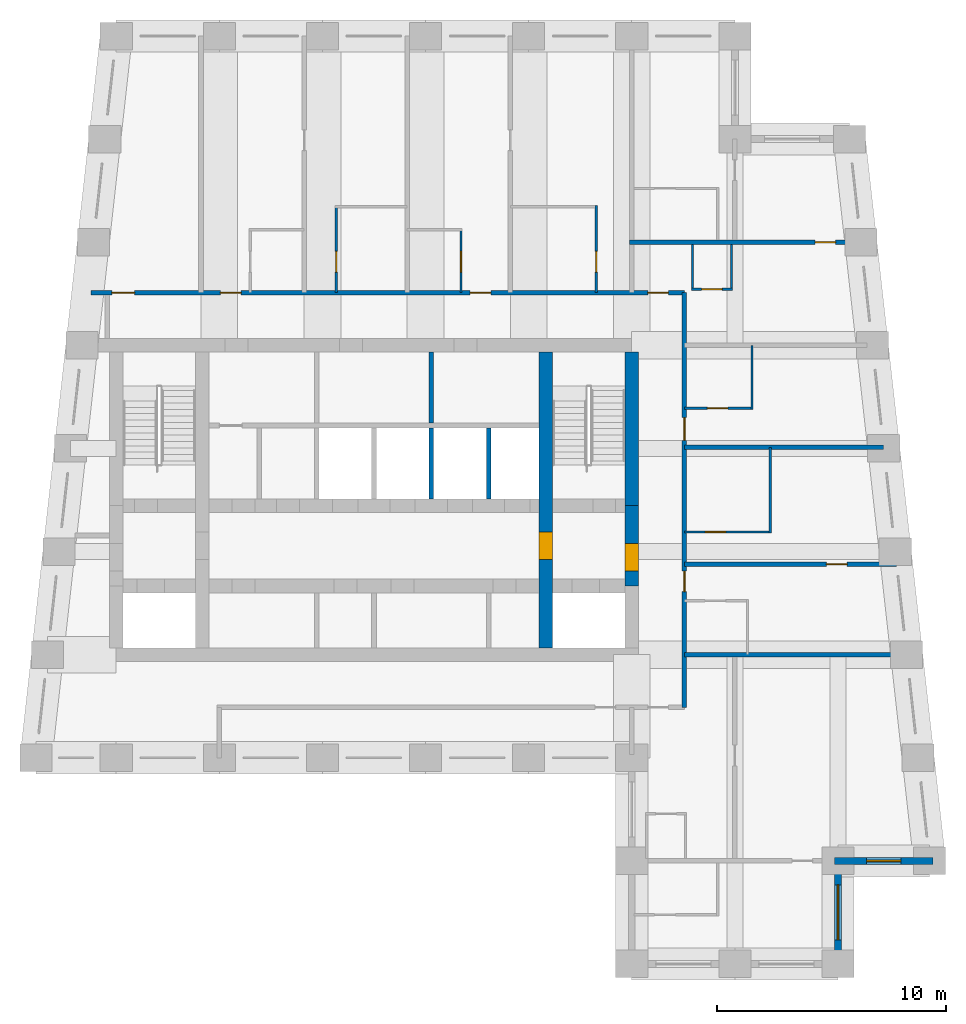
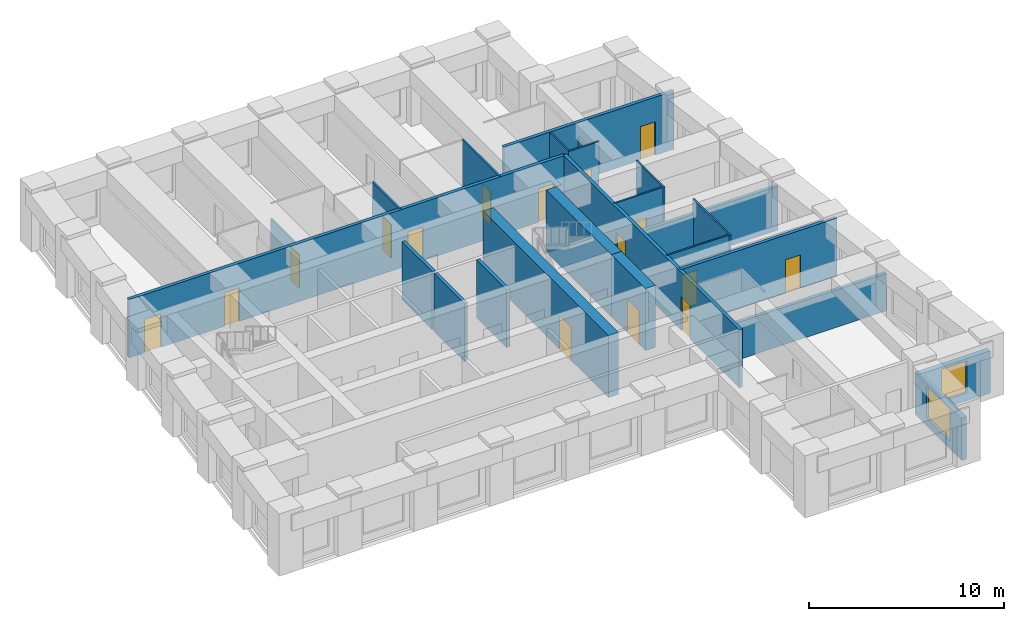
# One storey, part 4 of 7: 24 walls, 16 doors, 2 windows, 18 openings.
"""IFC4 building model written with IfcOpenShell, lengths in metres."""

from ifc_helpers import new_model, si_unit, direction, frame, frame_2d, origin, place, context, subcontext, project, spatial, rectangle, extrude, material, layer, layer_set, type_object, element, fill, save


model = new_model("IFC4")

# Units and contexts
model_context = context("Model", 3, precision=1e-05, world=origin(), true_north=direction((0.0, 1.0)))
body_context = subcontext(model_context, "Body", "Model", "MODEL_VIEW")
ifc_project = project(units=[si_unit("LENGTHUNIT", "METRE"), si_unit("AREAUNIT", "SQUARE_METRE"), si_unit("VOLUMEUNIT", "CUBIC_METRE"), si_unit("PLANEANGLEUNIT", "RADIAN"), si_unit("MASSUNIT", "GRAM", prefix="KILO")], contexts=[model_context])

# Site, building, storey
site_placement = place(None, origin())
site = spatial("IfcSite", under=ifc_project, at=site_placement, CompositionType="ELEMENT")
building_placement = place(site_placement, origin())
building = spatial("IfcBuilding", under=site, at=building_placement, Name="Kilele Tower Hotel", CompositionType="ELEMENT")
storey_placement = place(building_placement, frame((0.0, 0.0, 270.199951171875)))
storey = spatial("IfcBuildingStorey", under=building, at=storey_placement, Name="L69", CompositionType="ELEMENT", Elevation=270.199951171875)

# Wall
ifc_material_1 = material(Name="Moisture-resistant board")
ifc_layer_1 = layer(ifc_material_1, 0.10009765625)
ifc_layer_set_1 = layer_set([ifc_layer_1], Name="Moisture-resistant board")
wall_type_1 = type_object("IfcWallType", Name="Bathroom partition 100", PredefinedType="PLUMBINGWALL", material=ifc_layer_set_1)
wall_1_placement = place(storey_placement, frame((42.050048828125, 18.800048828125, 0.0), z_axis=(0.0, 0.0, 1.0), x_axis=(0.0, 1.0, 0.0)))
element("IfcWall", 1, at=wall_1_placement, inside=storey, type_object=wall_type_1, Name="Bathroom partition 100 L69", PredefinedType="PLUMBINGWALL", context=body_context, shape_type="SweptSolid", body=[
    extrude(rectangle(XDim=3.75, YDim=0.10009765625, at=frame_2d((1.875, 0.0))), origin(), (0.0, 0.0, 1.0), 3.650146484375),
])

# Wall, opening, door
wall_2_placement = place(storey_placement, frame((38.300048828125, 18.85009765625, 0.0), z_axis=(0.0, 0.0, 1.0), x_axis=(1.0, 0.0, 0.0)))
wall_2 = element("IfcWall", 2, at=wall_2_placement, inside=storey, type_object=wall_type_1, Name="Bathroom partition 100 L69", PredefinedType="PLUMBINGWALL", context=body_context, shape_type="SweptSolid", body=[
    extrude(rectangle(XDim=3.800048828125, YDim=0.10009765625, at=frame_2d((1.89990234375, 0.0))), origin(), (0.0, 0.0, 1.0), 3.650146484375),
])
opening_1_placement = place(wall_2_placement, frame((1.7998046875, 0.0, 0.0), z_axis=(0.0, 0.0, 1.0), x_axis=(-1.0, 0.0, 0.0)))
opening_1 = element("IfcOpeningElement", 3, at=opening_1_placement, cuts=wall_2, Name="Opening D2A", PredefinedType="OPENING", context=body_context, shape_type="SweptSolid", body=[
    extrude(rectangle(XDim=0.89990234375, YDim=2.10009765625, at=frame_2d((0.449951171875, 1.050048828125))), frame((0.0, 0.06005859375, 0.0), z_axis=(0.0, -1.0, 0.0), x_axis=(1.0, 0.0, 0.0)), (0.0, 0.0, 1.0), 0.1201171875),
])
ifc_material_2 = material(Name="Timber door leaf in hardwood frame", Category="wood")
door_type_1 = type_object("IfcDoorType", Name="Bathroom door 900", OperationType="SINGLE_SWING_LEFT", PredefinedType="DOOR", material=ifc_material_2)
door_1_placement = place(opening_1_placement, origin())
door_1 = element("IfcDoor", 4, at=door_1_placement, inside=storey, type_object=door_type_1, Name="Bathroom door 6904B", OperationType="SINGLE_SWING_RIGHT", OverallHeight=2.10009765625, OverallWidth=0.89990234375, PredefinedType="DOOR", context=body_context, shape_type="SweptSolid", body=[
    extrude(rectangle(XDim=0.89990234375, YDim=2.10009765625, at=frame_2d((0.449951171875, 1.050048828125))), frame((0.0, 0.02490234375, 0.0), z_axis=(0.0, -1.0, 0.0), x_axis=(1.0, 0.0, 0.0)), (0.0, 0.0, 1.0), 0.050048828125),
])
fill(opening_1, door_1)

# Wall
wall_3_placement = place(storey_placement, frame((41.25, 24.199951171875, 0.0), z_axis=(0.0, 0.0, 1.0), x_axis=(0.0, 1.0, 0.0)))
element("IfcWall", 5, at=wall_3_placement, inside=storey, type_object=wall_type_1, Name="Bathroom partition 100 L69", PredefinedType="PLUMBINGWALL", context=body_context, shape_type="SweptSolid", body=[
    extrude(rectangle(XDim=2.800048828125, YDim=0.10009765625, at=frame_2d((1.39990234375, 0.0))), origin(), (0.0, 0.0, 1.0), 3.650146484375),
])

# Wall, opening, door
wall_4_placement = place(storey_placement, frame((38.300048828125, 24.25, 0.0), z_axis=(0.0, 0.0, 1.0), x_axis=(1.0, 0.0, 0.0)))
wall_4 = element("IfcWall", 6, at=wall_4_placement, inside=storey, type_object=wall_type_1, Name="Bathroom partition 100 L69", PredefinedType="PLUMBINGWALL", context=body_context, shape_type="SweptSolid", body=[
    extrude(rectangle(XDim=3.0, YDim=0.10009765625, at=frame_2d((1.5, 0.0))), origin(), (0.0, 0.0, 1.0), 3.650146484375),
])
opening_2_placement = place(wall_4_placement, frame((1.89990234375, 0.0, 0.0), z_axis=(0.0, 0.0, 1.0), x_axis=(-1.0, 0.0, 0.0)))
opening_2 = element("IfcOpeningElement", 7, at=opening_2_placement, cuts=wall_4, Name="Opening D2A", PredefinedType="OPENING", context=body_context, shape_type="SweptSolid", body=[
    extrude(rectangle(XDim=0.89990234375, YDim=2.10009765625, at=frame_2d((0.449951171875, 1.050048828125))), frame((0.0, 0.06005859375, 0.0), z_axis=(0.0, -1.0, 0.0), x_axis=(1.0, 0.0, 0.0)), (0.0, 0.0, 1.0), 0.1201171875),
])
door_2_placement = place(opening_2_placement, origin())
door_2 = element("IfcDoor", 8, at=door_2_placement, inside=storey, type_object=door_type_1, Name="Bathroom door 6905B", OperationType="SINGLE_SWING_RIGHT", OverallHeight=2.10009765625, OverallWidth=0.89990234375, PredefinedType="DOOR", context=body_context, shape_type="SweptSolid", body=[
    extrude(rectangle(XDim=0.89990234375, YDim=2.10009765625, at=frame_2d((0.449951171875, 1.050048828125))), frame((0.0, 0.02490234375, 0.0), z_axis=(0.0, -1.0, 0.0), x_axis=(1.0, 0.0, 0.0)), (0.0, 0.0, 1.0), 0.050048828125),
])
fill(opening_2, door_2)

wall_5_placement = place(storey_placement, frame((23.10009765625, 29.300048828125, 0.0), z_axis=(0.0, 0.0, 1.0), x_axis=(0.0, 1.0, 0.0)))
wall_5 = element("IfcWall", 9, at=wall_5_placement, inside=storey, type_object=wall_type_1, Name="Bathroom partition 100 L69", PredefinedType="PLUMBINGWALL", context=body_context, shape_type="SweptSolid", body=[
    extrude(rectangle(XDim=3.800048828125, YDim=0.10009765625, at=frame_2d((1.89990234375, 0.0))), origin(), (0.0, 0.0, 1.0), 2.650146484375),
])
opening_3_placement = place(wall_5_placement, frame((0.89990234375, 0.0, 0.0)))
opening_3 = element("IfcOpeningElement", 10, at=opening_3_placement, cuts=wall_5, Name="Opening D2A", PredefinedType="OPENING", context=body_context, shape_type="SweptSolid", body=[
    extrude(rectangle(XDim=0.89990234375, YDim=2.10009765625, at=frame_2d((0.449951171875, 1.050048828125))), frame((0.0, 0.06005859375, 0.0), z_axis=(0.0, -1.0, 0.0), x_axis=(1.0, 0.0, 0.0)), (0.0, 0.0, 1.0), 0.1201171875),
])
door_3_placement = place(opening_3_placement, origin())
door_3 = element("IfcDoor", 11, at=door_3_placement, inside=storey, type_object=door_type_1, Name="Bathroom door 6908B", OperationType="SINGLE_SWING_LEFT", OverallHeight=2.10009765625, OverallWidth=0.89990234375, PredefinedType="DOOR", context=body_context, shape_type="SweptSolid", body=[
    extrude(rectangle(XDim=0.89990234375, YDim=2.10009765625, at=frame_2d((0.449951171875, 1.050048828125))), frame((0.0, 0.02490234375, 0.0), z_axis=(0.0, -1.0, 0.0), x_axis=(1.0, 0.0, 0.0)), (0.0, 0.0, 1.0), 0.050048828125),
])
fill(opening_3, door_3)

wall_6_placement = place(storey_placement, frame((28.550048828125, 29.300048828125, 0.0), z_axis=(0.0, 0.0, 1.0), x_axis=(0.0, 1.0, 0.0)))
wall_6 = element("IfcWall", 12, at=wall_6_placement, inside=storey, type_object=wall_type_1, Name="Bathroom partition 100 L69", PredefinedType="PLUMBINGWALL", context=body_context, shape_type="SweptSolid", body=[
    extrude(rectangle(XDim=2.800048828125, YDim=0.10009765625, at=frame_2d((1.39990234375, 0.0))), origin(), (0.0, 0.0, 1.0), 3.650146484375),
])
opening_4_placement = place(wall_6_placement, frame((1.7998046875, 0.0, 0.0), z_axis=(0.0, 0.0, 1.0), x_axis=(-1.0, 0.0, 0.0)))
opening_4 = element("IfcOpeningElement", 13, at=opening_4_placement, cuts=wall_6, Name="Opening D2A", PredefinedType="OPENING", context=body_context, shape_type="SweptSolid", body=[
    extrude(rectangle(XDim=0.89990234375, YDim=2.10009765625, at=frame_2d((0.449951171875, 1.050048828125))), frame((0.0, 0.06005859375, 0.0), z_axis=(0.0, -1.0, 0.0), x_axis=(1.0, 0.0, 0.0)), (0.0, 0.0, 1.0), 0.1201171875),
])
door_4_placement = place(opening_4_placement, origin())
door_4 = element("IfcDoor", 14, at=door_4_placement, inside=storey, type_object=door_type_1, Name="Bathroom door 6909B", OperationType="SINGLE_SWING_RIGHT", OverallHeight=2.10009765625, OverallWidth=0.89990234375, PredefinedType="DOOR", context=body_context, shape_type="SweptSolid", body=[
    extrude(rectangle(XDim=0.89990234375, YDim=2.10009765625, at=frame_2d((0.449951171875, 1.050048828125))), frame((0.0, 0.02490234375, 0.0), z_axis=(0.0, -1.0, 0.0), x_axis=(1.0, 0.0, 0.0)), (0.0, 0.0, 1.0), 0.050048828125),
])
fill(opening_4, door_4)

wall_7_placement = place(storey_placement, frame((34.449951171875, 29.300048828125, 0.0), z_axis=(0.0, 0.0, 1.0), x_axis=(0.0, 1.0, 0.0)))
wall_7 = element("IfcWall", 15, at=wall_7_placement, inside=storey, type_object=wall_type_1, Name="Bathroom partition 100 L69", PredefinedType="PLUMBINGWALL", context=body_context, shape_type="SweptSolid", body=[
    extrude(rectangle(XDim=3.800048828125, YDim=0.10009765625, at=frame_2d((1.89990234375, 0.0))), origin(), (0.0, 0.0, 1.0), 3.650146484375),
])
opening_5_placement = place(wall_7_placement, frame((1.7998046875, 0.0, 0.0), z_axis=(0.0, 0.0, 1.0), x_axis=(-1.0, 0.0, 0.0)))
opening_5 = element("IfcOpeningElement", 16, at=opening_5_placement, cuts=wall_7, Name="Opening D2A", PredefinedType="OPENING", context=body_context, shape_type="SweptSolid", body=[
    extrude(rectangle(XDim=0.89990234375, YDim=2.10009765625, at=frame_2d((0.449951171875, 1.050048828125))), frame((0.0, 0.06005859375, 0.0), z_axis=(0.0, -1.0, 0.0), x_axis=(1.0, 0.0, 0.0)), (0.0, 0.0, 1.0), 0.1201171875),
])
door_5_placement = place(opening_5_placement, origin())
door_5 = element("IfcDoor", 17, at=door_5_placement, inside=storey, type_object=door_type_1, Name="Bathroom door 6910B", OperationType="SINGLE_SWING_RIGHT", OverallHeight=2.10009765625, OverallWidth=0.89990234375, PredefinedType="DOOR", context=body_context, shape_type="SweptSolid", body=[
    extrude(rectangle(XDim=0.89990234375, YDim=2.10009765625, at=frame_2d((0.449951171875, 1.050048828125))), frame((0.0, 0.02490234375, 0.0), z_axis=(0.0, -1.0, 0.0), x_axis=(1.0, 0.0, 0.0)), (0.0, 0.0, 1.0), 0.050048828125),
])
fill(opening_5, door_5)

# Walls
wall_8_placement = place(storey_placement, frame((40.35009765625, 31.39990234375, 0.0), z_axis=(0.0, 0.0, 1.0), x_axis=(0.0, -1.0, 0.0)))
element("IfcWall", 18, at=wall_8_placement, inside=storey, type_object=wall_type_1, Name="Bathroom partition 100 L69", PredefinedType="PLUMBINGWALL", context=body_context, shape_type="SweptSolid", body=[
    extrude(rectangle(XDim=2.0, YDim=0.10009765625, at=frame_2d((1.0, 0.0))), origin(), (0.0, 0.0, 1.0), 2.75),
])
wall_9_placement = place(storey_placement, frame((38.64990234375, 31.39990234375, 0.0), z_axis=(0.0, 0.0, 1.0), x_axis=(0.0, -1.0, 0.0)))
element("IfcWall", 19, at=wall_9_placement, inside=storey, type_object=wall_type_1, Name="Bathroom partition 100 L69", PredefinedType="PLUMBINGWALL", context=body_context, shape_type="SweptSolid", body=[
    extrude(rectangle(XDim=2.0, YDim=0.10009765625, at=frame_2d((1.0, 0.0))), origin(), (0.0, 0.0, 1.0), 3.650146484375),
])

# Wall, opening, door
wall_10_placement = place(storey_placement, frame((38.60009765625, 29.449951171875, 0.0), z_axis=(0.0, 0.0, 1.0), x_axis=(1.0, 0.0, 0.0)))
wall_10 = element("IfcWall", 20, at=wall_10_placement, inside=storey, type_object=wall_type_1, Name="Bathroom partition 100 L69", PredefinedType="PLUMBINGWALL", context=body_context, shape_type="SweptSolid", body=[
    extrude(rectangle(XDim=1.7998046875, YDim=0.10009765625, at=frame_2d((0.89990234375, 0.0))), origin(), (0.0, 0.0, 1.0), 3.650146484375),
])
opening_6_placement = place(wall_10_placement, frame((1.349853515625, 0.0, 0.0), z_axis=(0.0, 0.0, 1.0), x_axis=(-1.0, 0.0, 0.0)))
opening_6 = element("IfcOpeningElement", 21, at=opening_6_placement, cuts=wall_10, Name="Opening D2A", PredefinedType="OPENING", context=body_context, shape_type="SweptSolid", body=[
    extrude(rectangle(XDim=0.89990234375, YDim=2.10009765625, at=frame_2d((0.449951171875, 1.050048828125))), frame((0.0, 0.06005859375, 0.0), z_axis=(0.0, -1.0, 0.0), x_axis=(1.0, 0.0, 0.0)), (0.0, 0.0, 1.0), 0.1201171875),
])
door_6_placement = place(opening_6_placement, origin())
door_6 = element("IfcDoor", 22, at=door_6_placement, inside=storey, type_object=door_type_1, Name="Bathroom door 6914P", OperationType="SINGLE_SWING_RIGHT", OverallHeight=2.10009765625, OverallWidth=0.89990234375, PredefinedType="DOOR", context=body_context, shape_type="SweptSolid", body=[
    extrude(rectangle(XDim=0.89990234375, YDim=2.10009765625, at=frame_2d((0.449951171875, 1.050048828125))), frame((0.0, 0.02490234375, 0.0), z_axis=(0.0, -1.0, 0.0), x_axis=(1.0, 0.0, 0.0)), (0.0, 0.0, 1.0), 0.050048828125),
])
fill(opening_6, door_6)

ifc_material_3 = material(Name="Concrete C60/75", Category="concrete")
ifc_layer_2 = layer(ifc_material_3, 0.60009765625)
ifc_layer_set_2 = layer_set([ifc_layer_2], Name="Concrete C60/75")
wall_type_2 = type_object("IfcWallType", Name="Core wall 600 C60/75", PredefinedType="SHEAR", material=ifc_layer_set_2)
wall_11_placement = place(storey_placement, frame((32.25, 13.800048828125, 0.0), z_axis=(0.0, 0.0, 1.0), x_axis=(0.0, 1.0, 0.0)))
wall_11 = element("IfcWall", 23, at=wall_11_placement, inside=storey, type_object=wall_type_2, Name="Core wall IE L69", PredefinedType="SHEAR", context=body_context, shape_type="SweptSolid", body=[
    extrude(rectangle(XDim=12.89990234375, YDim=0.60009765625, at=frame_2d((6.449951171875, 0.0))), origin(), (0.0, 0.0, 1.0), 3.900146484375),
])
opening_7_placement = place(wall_11_placement, frame((5.050048828125, 0.0, 0.0), z_axis=(0.0, 0.0, 1.0), x_axis=(-1.0, 0.0, 0.0)))
opening_7 = element("IfcOpeningElement", 24, at=opening_7_placement, cuts=wall_11, Name="Opening D4", PredefinedType="OPENING", context=body_context, shape_type="SweptSolid", body=[
    extrude(rectangle(XDim=1.199951171875, YDim=2.10009765625, at=frame_2d((0.60009765625, 1.050048828125))), frame((0.0, 0.31005859375, 0.0), z_axis=(0.0, -1.0, 0.0), x_axis=(1.0, 0.0, 0.0)), (0.0, 0.0, 1.0), 0.6201171875),
])
ifc_material_4 = material(Name="Timber door leaf in hardwood frame", Category="wood")
door_type_2 = type_object("IfcDoorType", Name="Firefighting lobby door 1200", OperationType="SINGLE_SWING_LEFT", PredefinedType="DOOR", material=ifc_material_4)
door_7_placement = place(opening_7_placement, origin())
door_7 = element("IfcDoor", 25, at=door_7_placement, inside=storey, type_object=door_type_2, Name="Lobby door L69", OperationType="SINGLE_SWING_RIGHT", OverallHeight=2.10009765625, OverallWidth=1.199951171875, PredefinedType="DOOR", context=body_context, shape_type="SweptSolid", body=[
    extrude(rectangle(XDim=1.199951171875, YDim=2.10009765625, at=frame_2d((0.60009765625, 1.050048828125))), frame((0.0, 0.2998046875, 0.0), z_axis=(0.0, -1.0, 0.0), x_axis=(1.0, 0.0, 0.0)), (0.0, 0.0, 1.0), 0.599609375),
])
fill(opening_7, door_7)

wall_12_placement = place(storey_placement, frame((36.0, 16.5, 0.0), z_axis=(0.0, 0.0, 1.0), x_axis=(0.0, 1.0, 0.0)))
wall_12 = element("IfcWall", 26, at=wall_12_placement, inside=storey, type_object=wall_type_2, Name="Core wall E2 L69", PredefinedType="SHEAR", context=body_context, shape_type="SweptSolid", body=[
    extrude(rectangle(XDim=3.5, YDim=0.60009765625, at=frame_2d((1.75, 0.0))), origin(), (0.0, 0.0, 1.0), 3.900146484375),
])
opening_8_placement = place(wall_12_placement, frame((0.64990234375, 0.0, 0.0)))
opening_8 = element("IfcOpeningElement", 27, at=opening_8_placement, cuts=wall_12, Name="Opening D4", PredefinedType="OPENING", context=body_context, shape_type="SweptSolid", body=[
    extrude(rectangle(XDim=1.199951171875, YDim=2.10009765625, at=frame_2d((0.60009765625, 1.050048828125))), frame((0.0, 0.31005859375, 0.0), z_axis=(0.0, -1.0, 0.0), x_axis=(1.0, 0.0, 0.0)), (0.0, 0.0, 1.0), 0.6201171875),
])
door_8_placement = place(opening_8_placement, origin())
door_8 = element("IfcDoor", 28, at=door_8_placement, inside=storey, type_object=door_type_2, Name="Lobby door L69", OperationType="SINGLE_SWING_LEFT", OverallHeight=2.10009765625, OverallWidth=1.199951171875, PredefinedType="DOOR", context=body_context, shape_type="SweptSolid", body=[
    extrude(rectangle(XDim=1.199951171875, YDim=2.10009765625, at=frame_2d((0.60009765625, 1.050048828125))), frame((0.0, 0.2998046875, 0.0), z_axis=(0.0, -1.0, 0.0), x_axis=(1.0, 0.0, 0.0)), (0.0, 0.0, 1.0), 0.599609375),
])
fill(opening_8, door_8)

# Wall
wall_13_placement = place(storey_placement, frame((36.0, 20.0, 0.0), z_axis=(0.0, 0.0, 1.0), x_axis=(0.0, 1.0, 0.0)))
element("IfcWall", 29, at=wall_13_placement, inside=storey, type_object=wall_type_2, Name="Core wall E3 L69", PredefinedType="SHEAR", context=body_context, shape_type="SweptSolid", body=[
    extrude(rectangle(XDim=6.699951171875, YDim=0.60009765625, at=frame_2d((3.35009765625, 0.0))), origin(), (0.0, 0.0, 1.0), 3.900146484375),
])

# Wall, openings, doors
ifc_material_5 = material(Name="Blockwork, plastered both sides", Category="masonry")
ifc_layer_3 = layer(ifc_material_5, 0.199951171875)
ifc_layer_set_3 = layer_set([ifc_layer_3], Name="Blockwork, plastered both sides")
wall_type_3 = type_object("IfcWallType", Name="Corridor wall 200", PredefinedType="PARTITIONING", material=ifc_layer_set_3)
wall_14_placement = place(storey_placement, frame((12.406494140625, 29.300048828125, 0.0), z_axis=(0.0, 0.0, 1.0), x_axis=(1.0, 0.0, 0.0)))
wall_14 = element("IfcWall", 30, at=wall_14_placement, inside=storey, type_object=wall_type_3, Name="Corridor wall 200 L69", PredefinedType="PARTITIONING", context=body_context, shape_type="SweptSolid", body=[
    extrude(rectangle(XDim=25.8935546875, YDim=0.199951171875, at=frame_2d((12.94677734375, 0.0))), origin(), (0.0, 0.0, 1.0), 3.650146484375),
])
opening_9_placement = place(wall_14_placement, frame((0.89990234375, 0.0, 0.0)))
opening_9 = element("IfcOpeningElement", 31, at=opening_9_placement, cuts=wall_14, Name="Opening D8", PredefinedType="OPENING", context=body_context, shape_type="SweptSolid", body=[
    extrude(rectangle(XDim=1.0, YDim=2.10009765625, at=frame_2d((0.5, 1.050048828125))), frame((0.0, 0.10986328125, 0.0), z_axis=(0.0, -1.0, 0.0), x_axis=(1.0, 0.0, 0.0)), (0.0, 0.0, 1.0), 0.219970703125),
])
opening_10_placement = place(wall_14_placement, frame((5.6435546875, 0.0, 0.0)))
opening_10 = element("IfcOpeningElement", 32, at=opening_10_placement, cuts=wall_14, Name="Opening D1", PredefinedType="OPENING", context=body_context, shape_type="SweptSolid", body=[
    extrude(rectangle(XDim=0.89990234375, YDim=2.10009765625, at=frame_2d((0.449951171875, 1.050048828125))), frame((0.0, 0.10986328125, 0.0), z_axis=(0.0, -1.0, 0.0), x_axis=(1.0, 0.0, 0.0)), (0.0, 0.0, 1.0), 0.219970703125),
])
opening_11_placement = place(wall_14_placement, frame((16.54345703125, 0.0, 0.0)))
opening_11 = element("IfcOpeningElement", 33, at=opening_11_placement, cuts=wall_14, Name="Opening D1", PredefinedType="OPENING", context=body_context, shape_type="SweptSolid", body=[
    extrude(rectangle(XDim=0.89990234375, YDim=2.10009765625, at=frame_2d((0.449951171875, 1.050048828125))), frame((0.0, 0.10986328125, 0.0), z_axis=(0.0, -1.0, 0.0), x_axis=(1.0, 0.0, 0.0)), (0.0, 0.0, 1.0), 0.219970703125),
])
opening_12_placement = place(wall_14_placement, frame((24.29345703125, 0.0, 0.0)))
opening_12 = element("IfcOpeningElement", 34, at=opening_12_placement, cuts=wall_14, Name="Opening D1", PredefinedType="OPENING", context=body_context, shape_type="SweptSolid", body=[
    extrude(rectangle(XDim=0.89990234375, YDim=2.10009765625, at=frame_2d((0.449951171875, 1.050048828125))), frame((0.0, 0.10986328125, 0.0), z_axis=(0.0, -1.0, 0.0), x_axis=(1.0, 0.0, 0.0)), (0.0, 0.0, 1.0), 0.219970703125),
])
ifc_material_6 = material(Name="Timber door leaf in hardwood frame", Category="wood")
door_type_3 = type_object("IfcDoorType", Name="Door 1000", OperationType="SINGLE_SWING_LEFT", PredefinedType="DOOR", material=ifc_material_6)
door_9_placement = place(opening_9_placement, origin())
door_9 = element("IfcDoor", 35, at=door_9_placement, inside=storey, type_object=door_type_3, Name="Room entrance 6906", OperationType="SINGLE_SWING_LEFT", OverallHeight=2.10009765625, OverallWidth=1.0, PredefinedType="DOOR", context=body_context, shape_type="SweptSolid", body=[
    extrude(rectangle(XDim=1.0, YDim=2.10009765625, at=frame_2d((0.5, 1.050048828125))), frame((0.0, 0.02490234375, 0.0), z_axis=(0.0, -1.0, 0.0), x_axis=(1.0, 0.0, 0.0)), (0.0, 0.0, 1.0), 0.050048828125),
])
fill(opening_9, door_9)
ifc_material_7 = material(Name="Timber door leaf in hardwood frame", Category="wood")
door_type_4 = type_object("IfcDoorType", Name="Guest room entrance door 900", OperationType="SINGLE_SWING_LEFT", PredefinedType="DOOR", material=ifc_material_7)
door_10_placement = place(opening_10_placement, origin())
door_10 = element("IfcDoor", 36, at=door_10_placement, inside=storey, type_object=door_type_4, Name="Room entrance 6907", OperationType="SINGLE_SWING_RIGHT", OverallHeight=2.10009765625, OverallWidth=0.89990234375, PredefinedType="DOOR", context=body_context, shape_type="SweptSolid", body=[
    extrude(rectangle(XDim=0.89990234375, YDim=2.10009765625, at=frame_2d((0.449951171875, 1.050048828125))), frame((0.0, 0.02490234375, 0.0), z_axis=(0.0, -1.0, 0.0), x_axis=(1.0, 0.0, 0.0)), (0.0, 0.0, 1.0), 0.050048828125),
])
fill(opening_10, door_10)
door_11_placement = place(opening_11_placement, origin())
door_11 = element("IfcDoor", 37, at=door_11_placement, inside=storey, type_object=door_type_4, Name="Room entrance 6909", OperationType="SINGLE_SWING_LEFT", OverallHeight=2.10009765625, OverallWidth=0.89990234375, PredefinedType="DOOR", context=body_context, shape_type="SweptSolid", body=[
    extrude(rectangle(XDim=0.89990234375, YDim=2.10009765625, at=frame_2d((0.449951171875, 1.050048828125))), frame((0.0, 0.02490234375, 0.0), z_axis=(0.0, -1.0, 0.0), x_axis=(1.0, 0.0, 0.0)), (0.0, 0.0, 1.0), 0.050048828125),
])
fill(opening_11, door_11)
door_12_placement = place(opening_12_placement, origin())
door_12 = element("IfcDoor", 38, at=door_12_placement, inside=storey, type_object=door_type_4, Name="Room entrance 6914", OperationType="SINGLE_SWING_LEFT", OverallHeight=2.10009765625, OverallWidth=0.89990234375, PredefinedType="DOOR", context=body_context, shape_type="SweptSolid", body=[
    extrude(rectangle(XDim=0.89990234375, YDim=2.10009765625, at=frame_2d((0.449951171875, 1.050048828125))), frame((0.0, 0.02490234375, 0.0), z_axis=(0.0, -1.0, 0.0), x_axis=(1.0, 0.0, 0.0)), (0.0, 0.0, 1.0), 0.050048828125),
])
fill(opening_12, door_12)

wall_15_placement = place(storey_placement, frame((38.300048828125, 11.199951171875, 0.0), z_axis=(0.0, 0.0, 1.0), x_axis=(0.0, 1.0, 0.0)))
wall_15 = element("IfcWall", 39, at=wall_15_placement, inside=storey, type_object=wall_type_3, Name="Corridor wall 200 L69", PredefinedType="PARTITIONING", context=body_context, shape_type="SweptSolid", body=[
    extrude(rectangle(XDim=18.10009765625, YDim=0.199951171875, at=frame_2d((9.050048828125, 0.0))), origin(), (0.0, 0.0, 1.0), 3.650146484375),
])
opening_13_placement = place(wall_15_placement, frame((5.949951171875, 0.0, 0.0), z_axis=(0.0, 0.0, 1.0), x_axis=(-1.0, 0.0, 0.0)))
opening_13 = element("IfcOpeningElement", 40, at=opening_13_placement, cuts=wall_15, Name="Opening D1", PredefinedType="OPENING", context=body_context, shape_type="SweptSolid", body=[
    extrude(rectangle(XDim=0.89990234375, YDim=2.10009765625, at=frame_2d((0.449951171875, 1.050048828125))), frame((0.0, 0.10986328125, 0.0), z_axis=(0.0, -1.0, 0.0), x_axis=(1.0, 0.0, 0.0)), (0.0, 0.0, 1.0), 0.219970703125),
])
opening_14_placement = place(wall_15_placement, frame((12.64990234375, 0.0, 0.0), z_axis=(0.0, 0.0, 1.0), x_axis=(-1.0, 0.0, 0.0)))
opening_14 = element("IfcOpeningElement", 41, at=opening_14_placement, cuts=wall_15, Name="Opening D1A", PredefinedType="OPENING", context=body_context, shape_type="SweptSolid", body=[
    extrude(rectangle(XDim=1.0, YDim=2.10009765625, at=frame_2d((0.5, 1.050048828125))), frame((0.0, 0.10986328125, 0.0), z_axis=(0.0, -1.0, 0.0), x_axis=(1.0, 0.0, 0.0)), (0.0, 0.0, 1.0), 0.219970703125),
])
ifc_material_8 = material(Name="Timber door leaf in hardwood frame", Category="wood")
door_type_5 = type_object("IfcDoorType", Name="Guest room entrance door 1000", OperationType="SINGLE_SWING_LEFT", PredefinedType="DOOR", material=ifc_material_8)
door_13_placement = place(opening_14_placement, origin())
door_13 = element("IfcDoor", 42, at=door_13_placement, inside=storey, type_object=door_type_5, Name="Room entrance 6905", OperationType="SINGLE_SWING_RIGHT", OverallHeight=2.10009765625, OverallWidth=1.0, PredefinedType="DOOR", context=body_context, shape_type="SweptSolid", body=[
    extrude(rectangle(XDim=1.0, YDim=2.10009765625, at=frame_2d((0.5, 1.050048828125))), frame((0.0, 0.02490234375, 0.0), z_axis=(0.0, -1.0, 0.0), x_axis=(1.0, 0.0, 0.0)), (0.0, 0.0, 1.0), 0.050048828125),
])
fill(opening_14, door_13)
door_14_placement = place(opening_13_placement, origin())
door_14 = element("IfcDoor", 43, at=door_14_placement, inside=storey, type_object=door_type_4, Name="Room entrance 6903", OperationType="SINGLE_SWING_LEFT", OverallHeight=2.10009765625, OverallWidth=0.89990234375, PredefinedType="DOOR", context=body_context, shape_type="SweptSolid", body=[
    extrude(rectangle(XDim=0.89990234375, YDim=2.10009765625, at=frame_2d((0.449951171875, 1.050048828125))), frame((0.0, 0.02490234375, 0.0), z_axis=(0.0, -1.0, 0.0), x_axis=(1.0, 0.0, 0.0)), (0.0, 0.0, 1.0), 0.050048828125),
])
fill(opening_13, door_14)

# Wall, opening, door
ifc_material_9 = material(Name="Blockwork, plastered both sides", Category="masonry")
ifc_layer_4 = layer(ifc_material_9, 0.199951171875)
ifc_layer_set_4 = layer_set([ifc_layer_4], Name="Blockwork, plastered both sides")
wall_type_4 = type_object("IfcWallType", Name="Party wall 200", PredefinedType="PARTITIONING", material=ifc_layer_set_4)
wall_16_placement = place(storey_placement, frame((38.300048828125, 17.449951171875, 0.0), z_axis=(0.0, 0.0, 1.0), x_axis=(1.0, 0.0, 0.0)))
wall_16 = element("IfcWall", 44, at=wall_16_placement, inside=storey, type_object=wall_type_4, Name="Party wall 200 L69", PredefinedType="PARTITIONING", context=body_context, shape_type="SweptSolid", body=[
    extrude(rectangle(XDim=9.26025390625, YDim=0.199951171875, at=frame_2d((4.630126953125, 0.0))), origin(), (0.0, 0.0, 1.0), 3.650146484375),
])
opening_15_placement = place(wall_16_placement, frame((6.199951171875, 0.0, 0.0)))
opening_15 = element("IfcOpeningElement", 45, at=opening_15_placement, cuts=wall_16, Name="Opening D3", PredefinedType="OPENING", context=body_context, shape_type="SweptSolid", body=[
    extrude(rectangle(XDim=0.89990234375, YDim=2.10009765625, at=frame_2d((0.449951171875, 1.050048828125))), frame((0.0, 0.10986328125, 0.0), z_axis=(0.0, -1.0, 0.0), x_axis=(1.0, 0.0, 0.0)), (0.0, 0.0, 1.0), 0.219970703125),
])
ifc_material_10 = material(Name="Timber door leaf in hardwood frame", Category="wood")
door_type_6 = type_object("IfcDoorType", Name="Suite internal door 900", OperationType="SINGLE_SWING_LEFT", PredefinedType="DOOR", material=ifc_material_10)
door_15_placement = place(opening_15_placement, origin())
door_15 = element("IfcDoor", 46, at=door_15_placement, inside=storey, type_object=door_type_6, Name="Suite door 6904", OperationType="SINGLE_SWING_RIGHT", OverallHeight=2.10009765625, OverallWidth=0.89990234375, PredefinedType="DOOR", context=body_context, shape_type="SweptSolid", body=[
    extrude(rectangle(XDim=0.89990234375, YDim=2.10009765625, at=frame_2d((0.449951171875, 1.050048828125))), frame((0.0, 0.02490234375, 0.0), z_axis=(0.0, -1.0, 0.0), x_axis=(1.0, 0.0, 0.0)), (0.0, 0.0, 1.0), 0.050048828125),
])
fill(opening_15, door_15)

# Walls
wall_17_placement = place(storey_placement, frame((38.300048828125, 22.550048828125, 0.0), z_axis=(0.0, 0.0, 1.0), x_axis=(1.0, 0.0, 0.0)))
element("IfcWall", 47, at=wall_17_placement, inside=storey, type_object=wall_type_4, Name="Party wall 200 L69", PredefinedType="PARTITIONING", context=body_context, shape_type="SweptSolid", body=[
    extrude(rectangle(XDim=8.693359375, YDim=0.199951171875, at=frame_2d((4.3466796875, 0.0))), origin(), (0.0, 0.0, 1.0), 2.75),
])
wall_18_placement = place(storey_placement, frame((38.300048828125, 13.5, 0.0), z_axis=(0.0, 0.0, 1.0), x_axis=(1.0, 0.0, 0.0)))
element("IfcWall", 48, at=wall_18_placement, inside=storey, type_object=wall_type_4, Name="Party wall 200 L69", PredefinedType="PARTITIONING", context=body_context, shape_type="SweptSolid", body=[
    extrude(rectangle(XDim=9.921142578125, YDim=0.199951171875, at=frame_2d((4.96044921875, 0.0))), origin(), (0.0, 0.0, 1.0), 2.35009765625),
])

# Wall, opening, door
wall_19_placement = place(storey_placement, frame((35.89990234375, 31.5, 0.0), z_axis=(0.0, 0.0, 1.0), x_axis=(1.0, 0.0, 0.0)))
wall_19 = element("IfcWall", 49, at=wall_19_placement, inside=storey, type_object=wall_type_4, Name="Party wall 200 L69", PredefinedType="PARTITIONING", context=body_context, shape_type="SweptSolid", body=[
    extrude(rectangle(XDim=10.09912109375, YDim=0.199951171875, at=frame_2d((5.049560546875, 0.0))), origin(), (0.0, 0.0, 1.0), 3.650146484375),
])
opening_16_placement = place(wall_19_placement, frame((8.09912109375, 0.0, 0.0)))
opening_16 = element("IfcOpeningElement", 50, at=opening_16_placement, cuts=wall_19, Name="Opening D3", PredefinedType="OPENING", context=body_context, shape_type="SweptSolid", body=[
    extrude(rectangle(XDim=0.89990234375, YDim=2.10009765625, at=frame_2d((0.449951171875, 1.050048828125))), frame((0.0, 0.10986328125, 0.0), z_axis=(0.0, -1.0, 0.0), x_axis=(1.0, 0.0, 0.0)), (0.0, 0.0, 1.0), 0.219970703125),
])
door_16_placement = place(opening_16_placement, origin())
door_16 = element("IfcDoor", 51, at=door_16_placement, inside=storey, type_object=door_type_6, Name="Suite door 6915", OperationType="SINGLE_SWING_RIGHT", OverallHeight=2.10009765625, OverallWidth=0.89990234375, PredefinedType="DOOR", context=body_context, shape_type="SweptSolid", body=[
    extrude(rectangle(XDim=0.89990234375, YDim=2.10009765625, at=frame_2d((0.449951171875, 1.050048828125))), frame((0.0, 0.02490234375, 0.0), z_axis=(0.0, -1.0, 0.0), x_axis=(1.0, 0.0, 0.0)), (0.0, 0.0, 1.0), 0.050048828125),
])
fill(opening_16, door_16)

# Wall, opening, window
ifc_material_11 = material(Name="Concrete C40/50 precast", Category="concrete")
ifc_layer_5 = layer(ifc_material_11, 0.260009765625, Name="Precast backing", Category="LoadBearing")
ifc_material_12 = material(Name="Reconstituted stone finish", Category="masonry")
ifc_layer_6 = layer(ifc_material_12, 0.0400390625, Name="Face mix", Category="Finish")
ifc_layer_set_5 = layer_set([ifc_layer_5, ifc_layer_6], Name="Precast concrete C40/50, reconstituted stone finish")
wall_type_5 = type_object("IfcWallType", Name="Precast stone facade wall 300", PredefinedType="STANDARD", material=ifc_layer_set_5)
wall_20_placement = place(storey_placement, frame((45.0, -0.14990234375, 0.0), z_axis=(0.0, 0.0, 1.0), x_axis=(0.0, 1.0, 0.0)))
wall_20 = element("IfcWall", 52, at=wall_20_placement, inside=storey, type_object=wall_type_5, Name="Facade wall L69 edge 4", PredefinedType="STANDARD", context=body_context, shape_type="SweptSolid", body=[
    extrude(rectangle(XDim=4.7998046875, YDim=0.300048828125, at=frame_2d((2.39990234375, 0.0))), origin(), (0.0, 0.0, 1.0), 2.650146484375),
])
opening_17_placement = place(wall_20_placement, frame((1.199951171875, 0.0, 0.5)))
opening_17 = element("IfcOpeningElement", 53, at=opening_17_placement, cuts=wall_20, Name="Opening W4", PredefinedType="OPENING", context=body_context, shape_type="SweptSolid", body=[
    extrude(rectangle(XDim=2.39990234375, YDim=2.0, at=frame_2d((1.199951171875, 1.0))), frame((0.0, 0.159912109375, 0.0), z_axis=(0.0, -1.0, 0.0), x_axis=(1.0, 0.0, 0.0)), (0.0, 0.0, 1.0), 0.320068359375),
])
ifc_material_13 = material(Name="Aluminium frame, clear double glazing", Category="aluminium")
window_type_1 = type_object("IfcWindowType", Name="Window W4 2400 x 2000", PartitioningType="SINGLE_PANEL", PredefinedType="WINDOW", material=ifc_material_13)
window_1_placement = place(opening_17_placement, origin())
window_1 = element("IfcWindow", 54, at=window_1_placement, inside=storey, type_object=window_type_1, Name="Window L69", OverallHeight=2.0, OverallWidth=2.39990234375, PartitioningType="SINGLE_PANEL", PredefinedType="WINDOW", context=body_context, shape_type="SweptSolid", body=[
    extrude(rectangle(XDim=2.39990234375, YDim=2.0, at=frame_2d((1.199951171875, 1.0))), frame((0.0, 0.030029296875, 0.0), z_axis=(0.0, -1.0, 0.0), x_axis=(1.0, 0.0, 0.0)), (0.0, 0.0, 1.0), 0.06005859375),
])
fill(opening_17, window_1)

wall_21_placement = place(storey_placement, frame((44.85009765625, 4.5, 0.0), z_axis=(0.0, 0.0, 1.0), x_axis=(1.0, 0.0, 0.0)))
wall_21 = element("IfcWall", 55, at=wall_21_placement, inside=storey, type_object=wall_type_5, Name="Facade wall L69 edge 5", PredefinedType="STANDARD", context=body_context, shape_type="SweptSolid", body=[
    extrude(rectangle(XDim=4.2998046875, YDim=0.300048828125, at=frame_2d((2.14990234375, 0.0))), origin(), (0.0, 0.0, 1.0), 2.650146484375),
])
opening_18_placement = place(wall_21_placement, frame((1.39990234375, 0.0, 0.5)))
opening_18 = element("IfcOpeningElement", 56, at=opening_18_placement, cuts=wall_21, Name="Opening W4", PredefinedType="OPENING", context=body_context, shape_type="SweptSolid", body=[
    extrude(rectangle(XDim=1.5, YDim=2.0, at=frame_2d((0.75, 1.0))), frame((0.0, 0.159912109375, 0.0), z_axis=(0.0, -1.0, 0.0), x_axis=(1.0, 0.0, 0.0)), (0.0, 0.0, 1.0), 0.320068359375),
])
ifc_material_14 = material(Name="Aluminium frame, clear double glazing", Category="aluminium")
window_type_2 = type_object("IfcWindowType", Name="Window W4 1500 x 2000", PartitioningType="SINGLE_PANEL", PredefinedType="WINDOW", material=ifc_material_14)
window_2_placement = place(opening_18_placement, origin())
window_2 = element("IfcWindow", 57, at=window_2_placement, inside=storey, type_object=window_type_2, Name="Window L69", OverallHeight=2.0, OverallWidth=1.5, PartitioningType="SINGLE_PANEL", PredefinedType="WINDOW", context=body_context, shape_type="SweptSolid", body=[
    extrude(rectangle(XDim=1.5, YDim=2.0, at=frame_2d((0.75, 1.0))), frame((0.0, 0.030029296875, 0.0), z_axis=(0.0, -1.0, 0.0), x_axis=(1.0, 0.0, 0.0)), (0.0, 0.0, 1.0), 0.06005859375),
])
fill(opening_18, window_2)

# Walls
ifc_material_15 = material(Name="Blockwork, fire-rated", Category="masonry")
ifc_layer_7 = layer(ifc_material_15, 0.199951171875)
ifc_layer_set_6 = layer_set([ifc_layer_7], Name="Blockwork, fire-rated")
wall_type_6 = type_object("IfcWallType", Name="Shaft wall 200", PredefinedType="PARTITIONING", material=ifc_layer_set_6)
for number, where, z_axis, x_axis, name in (
    (58, (27.25, 20.300048828125, 0.0), (0.0, 0.0, 1.0), (0.0, 1.0, 0.0), "Shaft wall 200 L69"),
    (59, (29.75, 20.300048828125, 0.0), (0.0, 0.0, 1.0), (0.0, 1.0, 0.0), "Shaft wall 200 L69"),
    (60, (27.25, 23.60009765625, 0.0), (0.0, 0.0, 1.0), (0.0, 1.0, 0.0), "Shaft wall 200 L69"),
):
    element("IfcWall", number, at=place(storey_placement, frame(where, z_axis=z_axis, x_axis=x_axis)), inside=storey, type_object=wall_type_6, Name=name, PredefinedType="PARTITIONING", context=body_context, shape_type="SweptSolid", body=[
        extrude(rectangle(XDim=3.099853515625, YDim=0.199951171875, at=frame_2d((1.5498046875, 0.0))), origin(), (0.0, 0.0, 1.0), 3.650146484375),
    ])

save(model, "model.ifc")
